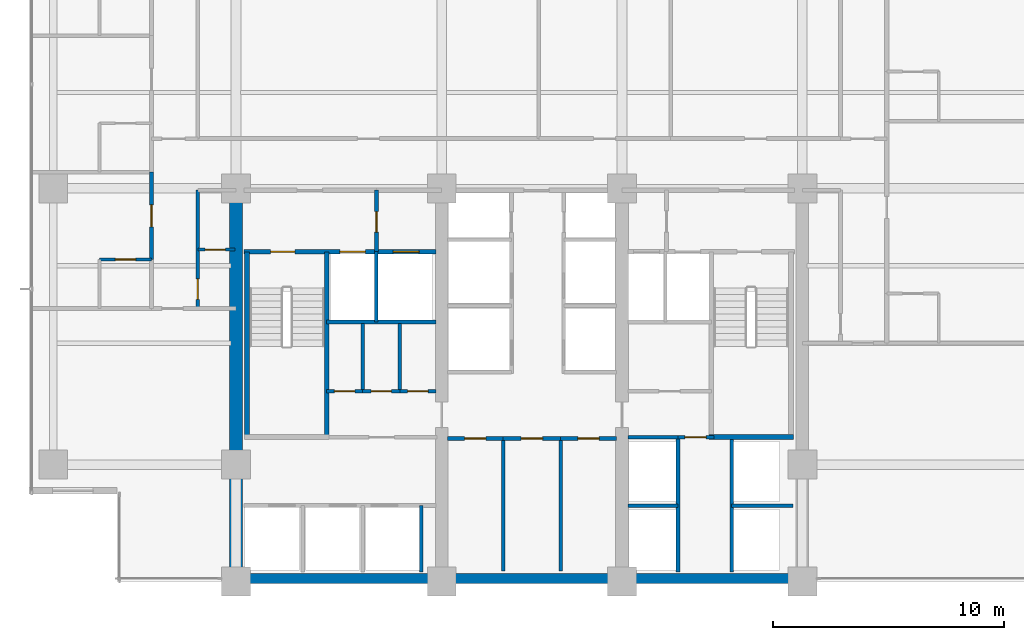
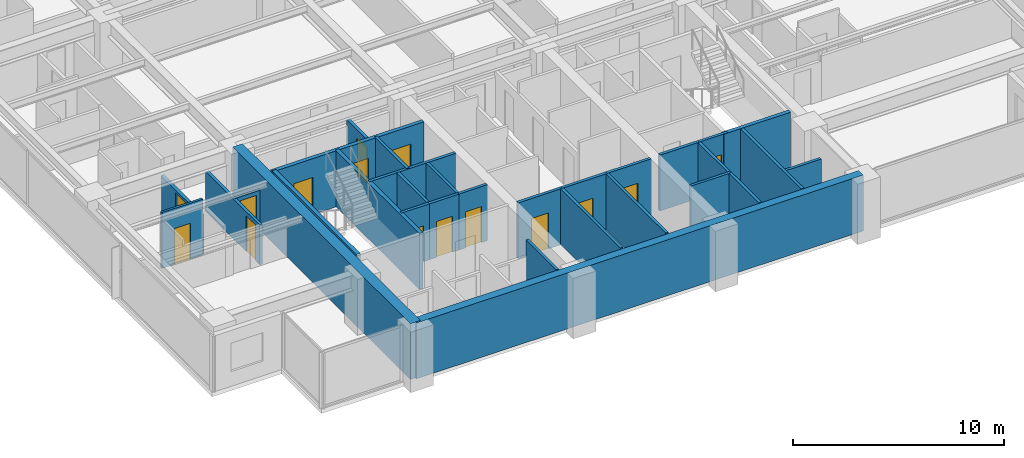
# One storey, part 8 of 17: 30 walls, 15 doors, 15 openings.
"""IFC4 building model written with IfcOpenShell, lengths in metres."""

from ifc_helpers import new_model, si_unit, direction, frame, frame_2d, origin, place, context, subcontext, project, spatial, rectangle, extrude, material, layer, layer_set, type_object, element, fill, save


model = new_model("IFC4")

# Units and contexts
model_context = context("Model", 3, precision=1e-05, world=origin(), true_north=direction((0.0, 1.0)))
body_context = subcontext(model_context, "Body", "Model", "MODEL_VIEW")
ifc_project = project(units=[si_unit("LENGTHUNIT", "METRE"), si_unit("AREAUNIT", "SQUARE_METRE"), si_unit("VOLUMEUNIT", "CUBIC_METRE"), si_unit("PLANEANGLEUNIT", "RADIAN"), si_unit("MASSUNIT", "GRAM", prefix="KILO")], contexts=[model_context])

# Site, building, storey
site_placement = place(None, origin())
site = spatial("IfcSite", under=ifc_project, at=site_placement, CompositionType="ELEMENT")
building_placement = place(site_placement, origin())
building = spatial("IfcBuilding", under=site, at=building_placement, Name="Qalmaran Belvedere Hotel", CompositionType="ELEMENT")
storey_placement = place(building_placement, frame((0.0, 0.0, 98.699951171875)))
storey = spatial("IfcBuildingStorey", under=building, at=storey_placement, Name="L24", CompositionType="ELEMENT", Elevation=98.699951171875)

# Walls
ifc_material_1 = material(Name="Concrete C60/75", Category="concrete")
ifc_layer_1 = layer(ifc_material_1, 0.550048828125, Name="Concrete C60/75")
ifc_layer_set_1 = layer_set([ifc_layer_1], Name="Concrete C60/75")
wall_type_1 = type_object("IfcWallType", Name="WL-CORE-550-C60", PredefinedType="SHEAR", material=ifc_layer_set_1)
wall_1_placement = place(storey_placement, frame((20.300048828125, 3.5, 0.0), z_axis=(0.0, 0.0, 1.0), x_axis=(0.0, 1.0, 0.0)))
element("IfcWall", 1, at=wall_1_placement, inside=storey, type_object=wall_type_1, Name="L24 West Core Shear Wall", PredefinedType="SHEAR", context=body_context, shape_type="SweptSolid", body=[
    extrude(rectangle(XDim=16.89990234375, YDim=0.550048828125, at=frame_2d((8.449951171875, 0.0))), origin(), (0.0, 0.0, 1.0), 3.239990234375),
])
ifc_material_2 = material(Name="Concrete C50/60", Category="concrete")
ifc_layer_2 = layer(ifc_material_2, 0.43994140625, Name="Concrete C50/60")
ifc_layer_set_2 = layer_set([ifc_layer_2], Name="Concrete C50/60")
wall_type_2 = type_object("IfcWallType", Name="WL-CORES-440-EXT", PredefinedType="SHEAR", material=ifc_layer_set_2)
wall_2_placement = place(storey_placement, frame((20.300048828125, 3.6298828125, 0.0), z_axis=(0.0, 0.0, 1.0), x_axis=(1.0, 0.0, 0.0)))
element("IfcWall", 2, at=wall_2_placement, inside=storey, type_object=wall_type_2, Name="L24 South Core Shear Wall", PredefinedType="SHEAR", context=body_context, shape_type="SweptSolid", body=[
    extrude(rectangle(XDim=24.5, YDim=0.43994140625, at=frame_2d((12.25, 0.0))), origin(), (0.0, 0.0, 1.0), 3.239990234375),
])

# Wall, opening, door
ifc_material_3 = material(Name="Moisture-Resistant Gypsum")
ifc_layer_3 = layer(ifc_material_3, 0.1201171875, Name="Moisture-Resistant Gypsum")
ifc_layer_set_3 = layer_set([ifc_layer_3], Name="Moisture-Resistant Gypsum")
wall_type_3 = type_object("IfcWallType", Name="WL-INT-120-BATH", PredefinedType="PARTITIONING", material=ifc_layer_set_3)
wall_3_placement = place(storey_placement, frame((14.39990234375, 17.419921875, 0.0), z_axis=(0.0, 0.0, 1.0), x_axis=(1.0, 0.0, 0.0)))
wall_3 = element("IfcWall", 3, at=wall_3_placement, inside=storey, type_object=wall_type_3, Name="L24 Partition WL-L24-WBN00", PredefinedType="PARTITIONING", context=body_context, shape_type="SweptSolid", body=[
    extrude(rectangle(XDim=2.25, YDim=0.1201171875, at=frame_2d((1.125, 0.0))), origin(), (0.0, 0.0, 1.0), 3.239990234375),
])
opening_1_placement = place(wall_3_placement, frame((1.56494140625, 0.0, 0.0), z_axis=(0.0, 0.0, 1.0), x_axis=(-1.0, 0.0, 0.0)))
opening_1 = element("IfcOpeningElement", 4, at=opening_1_placement, cuts=wall_3, Name="Opening D-BATH", PredefinedType="OPENING", context=body_context, shape_type="SweptSolid", body=[
    extrude(rectangle(XDim=0.8798828125, YDim=2.080078125, at=frame_2d((0.43994140625, 1.0400390625))), frame((0.0, 0.070068359375, 0.0), z_axis=(0.0, -1.0, 0.0), x_axis=(1.0, 0.0, 0.0)), (0.0, 0.0, 1.0), 0.14013671875),
])
ifc_material_4 = material(Name="Engineered Oak Veneer")
door_type_1 = type_object("IfcDoorType", Name="DR-INT-BATH-880X2080", OperationType="NOTDEFINED", PredefinedType="DOOR", material=ifc_material_4)
door_1_placement = place(opening_1_placement, origin())
door_1 = element("IfcDoor", 5, at=door_1_placement, inside=storey, type_object=door_type_1, Name="L24 W Ensuite Door 01", OperationType="SINGLE_SWING_RIGHT", OverallHeight=2.080078125, OverallWidth=0.8798828125, PredefinedType="DOOR", context=body_context, shape_type="SweptSolid", body=[
    extrude(rectangle(XDim=0.8798828125, YDim=2.080078125, at=frame_2d((0.43994140625, 1.0400390625))), frame((0.0, 0.02490234375, 0.0), z_axis=(0.0, -1.0, 0.0), x_axis=(1.0, 0.0, 0.0)), (0.0, 0.0, 1.0), 0.050048828125),
])
fill(opening_1, door_1)

ifc_material_5 = material(Name="Gypsum Stud Partition")
ifc_layer_4 = layer(ifc_material_5, 0.139892578125, Name="Gypsum Stud Partition")
ifc_layer_set_4 = layer_set([ifc_layer_4], Name="Gypsum Stud Partition")
wall_type_4 = type_object("IfcWallType", Name="WL-INT-140-NR", PredefinedType="PARTITIONING", material=ifc_layer_set_4)
wall_4_placement = place(storey_placement, frame((18.64990234375, 17.85009765625, 0.0), z_axis=(0.0, 0.0, 1.0), x_axis=(1.0, 0.0, 0.0)))
wall_4 = element("IfcWall", 6, at=wall_4_placement, inside=storey, type_object=wall_type_4, Name="L24 Partition WL-L24-WCLSUB", PredefinedType="PARTITIONING", context=body_context, shape_type="SweptSolid", body=[
    extrude(rectangle(XDim=1.60009765625, YDim=0.139892578125, at=frame_2d((0.800048828125, 0.0))), origin(), (0.0, 0.0, 1.0), 2.31298828125),
])
opening_2_placement = place(wall_4_placement, frame((1.193115234375, 0.0, 0.0), z_axis=(0.0, 0.0, 1.0), x_axis=(-1.0, 0.0, 0.0)))
opening_2 = element("IfcOpeningElement", 7, at=opening_2_placement, cuts=wall_4, Name="Opening D-BATH", PredefinedType="OPENING", context=body_context, shape_type="SweptSolid", body=[
    extrude(rectangle(XDim=0.8798828125, YDim=2.080078125, at=frame_2d((0.43994140625, 1.0400390625))), frame((0.0, 0.080078125, 0.0), z_axis=(0.0, -1.0, 0.0), x_axis=(1.0, 0.0, 0.0)), (0.0, 0.0, 1.0), 0.159912109375),
])
door_2_placement = place(opening_2_placement, origin())
door_2 = element("IfcDoor", 8, at=door_2_placement, inside=storey, type_object=door_type_1, Name="L24 Closet Alcove Door", OperationType="SINGLE_SWING_LEFT", OverallHeight=2.080078125, OverallWidth=0.8798828125, PredefinedType="DOOR", context=body_context, shape_type="SweptSolid", body=[
    extrude(rectangle(XDim=0.8798828125, YDim=2.080078125, at=frame_2d((0.43994140625, 1.0400390625))), frame((0.0, 0.02490234375, 0.0), z_axis=(0.0, -1.0, 0.0), x_axis=(1.0, 0.0, 0.0)), (0.0, 0.0, 1.0), 0.050048828125),
])
fill(opening_2, door_2)

# Walls
ifc_layer_5 = layer(ifc_material_5, 0.14990234375, Name="Gypsum Stud Partition")
ifc_layer_set_5 = layer_set([ifc_layer_5], Name="Gypsum Stud Partition")
wall_type_5 = type_object("IfcWallType", Name="WL-INT-150-EI120", PredefinedType="PARTITIONING", material=ifc_layer_set_5)
wall_5_placement = place(storey_placement, frame((26.360107421875, 14.719970703125, 0.0), z_axis=(0.0, 0.0, 1.0), x_axis=(0.0, 1.0, 0.0)))
element("IfcWall", 9, at=wall_5_placement, inside=storey, type_object=wall_type_5, Name="L24 Partition WL-FF1M-L24", PredefinedType="PARTITIONING", context=body_context, shape_type="SweptSolid", body=[
    extrude(rectangle(XDim=3.0400390625, YDim=0.14990234375, at=frame_2d((1.52001953125, 0.0))), origin(), (0.0, 0.0, 1.0), 3.239990234375),
])
wall_6_placement = place(storey_placement, frame((28.320068359375, 3.89990234375, 0.0), z_axis=(0.0, 0.0, 1.0), x_axis=(0.0, 1.0, 0.0)))
element("IfcWall", 10, at=wall_6_placement, inside=storey, type_object=wall_type_5, Name="L24 Partition WL-POM3-L24", PredefinedType="PARTITIONING", context=body_context, shape_type="SweptSolid", body=[
    extrude(rectangle(XDim=2.880126953125, YDim=0.14990234375, at=frame_2d((1.43994140625, 0.0))), origin(), (0.0, 0.0, 1.0), 3.239990234375),
])
wall_7_placement = place(storey_placement, frame((37.25, 6.780029296875, 0.0), z_axis=(0.0, 0.0, 1.0), x_axis=(1.0, 0.0, 0.0)))
element("IfcWall", 11, at=wall_7_placement, inside=storey, type_object=wall_type_5, Name="L24 Partition WL-PHMW-L24", PredefinedType="PARTITIONING", context=body_context, shape_type="SweptSolid", body=[
    extrude(rectangle(XDim=2.169921875, YDim=0.14990234375, at=frame_2d((1.0849609375, 0.0))), origin(), (0.0, 0.0, 1.0), 3.239990234375),
])
wall_8_placement = place(storey_placement, frame((41.739990234375, 6.780029296875, 0.0), z_axis=(0.0, 0.0, 1.0), x_axis=(1.0, 0.0, 0.0)))
element("IfcWall", 12, at=wall_8_placement, inside=storey, type_object=wall_type_5, Name="L24 Partition WL-PHME-L24", PredefinedType="PARTITIONING", context=body_context, shape_type="SweptSolid", body=[
    extrude(rectangle(XDim=2.659912109375, YDim=0.14990234375, at=frame_2d((1.330078125, 0.0))), origin(), (0.0, 0.0, 1.0), 2.31298828125),
])
ifc_layer_6 = layer(ifc_material_5, 0.14990234375, Name="Gypsum Stud Partition")
ifc_layer_set_6 = layer_set([ifc_layer_6], Name="Gypsum Stud Partition")
wall_type_6 = type_object("IfcWallType", Name="WL-INT-150-EI60", PredefinedType="PARTITIONING", material=ifc_layer_set_6)
for number, where, z_axis, x_axis, name in (
    (13, (25.781005859375, 11.719970703125, 0.0), (0.0, 0.0, 1.0), (0.0, 1.0, 0.0), "L24 Partition WL-L24-KWV1"),
    (14, (27.38916015625, 11.719970703125, 0.0), (0.0, 0.0, 1.0), (0.0, 1.0, 0.0), "L24 Partition WL-L24-KWV2"),
):
    element("IfcWall", number, at=place(storey_placement, frame(where, z_axis=z_axis, x_axis=x_axis)), inside=storey, type_object=wall_type_6, Name=name, PredefinedType="PARTITIONING", context=body_context, shape_type="SweptSolid", body=[
        extrude(rectangle(XDim=2.929931640625, YDim=0.14990234375, at=frame_2d((1.46484375, 0.0))), origin(), (0.0, 0.0, 1.0), 3.239990234375),
    ])
for number, where, z_axis, x_axis, name in (
    (15, (31.85888671875, 3.949951171875, 0.0), (0.0, 0.0, 1.0), (0.0, 1.0, 0.0), "L24 Partition WL-L24-KPLV1"),
    (16, (34.341064453125, 3.949951171875, 0.0), (0.0, 0.0, 1.0), (0.0, 1.0, 0.0), "L24 Partition WL-L24-KPLV2"),
):
    element("IfcWall", number, at=place(storey_placement, frame(where, z_axis=z_axis, x_axis=x_axis)), inside=storey, type_object=wall_type_6, Name=name, PredefinedType="PARTITIONING", context=body_context, shape_type="SweptSolid", body=[
        extrude(rectangle(XDim=5.72998046875, YDim=0.14990234375, at=frame_2d((2.864990234375, 0.0))), origin(), (0.0, 0.0, 1.0), 3.239990234375),
    ])

# Wall, opening, door
ifc_layer_7 = layer(ifc_material_5, 0.159912109375, Name="Gypsum Stud Partition")
ifc_layer_set_7 = layer_set([ifc_layer_7], Name="Gypsum Stud Partition")
wall_type_7 = type_object("IfcWallType", Name="WL-INT-160-EI120", PredefinedType="PARTITIONING", material=ifc_layer_set_7)
wall_9_placement = place(storey_placement, frame((26.3798828125, 17.760009765625, 0.0), z_axis=(0.0, 0.0, 1.0), x_axis=(0.0, 1.0, 0.0)))
wall_9 = element("IfcWall", 17, at=wall_9_placement, inside=storey, type_object=wall_type_7, Name="L24 Partition WL-FFSV1-L24", PredefinedType="PARTITIONING", context=body_context, shape_type="SweptSolid", body=[
    extrude(rectangle(XDim=2.659912109375, YDim=0.159912109375, at=frame_2d((1.330078125, 0.0))), origin(), (0.0, 0.0, 1.0), 2.614013671875),
])
opening_3_placement = place(wall_9_placement, frame((0.85009765625, 0.0, 0.0)))
opening_3 = element("IfcOpeningElement", 18, at=opening_3_placement, cuts=wall_9, Name="Opening FD60B", PredefinedType="OPENING", context=body_context, shape_type="SweptSolid", body=[
    extrude(rectangle(XDim=0.8798828125, YDim=2.080078125, at=frame_2d((0.43994140625, 1.0400390625))), frame((0.0, 0.08984375, 0.0), z_axis=(0.0, -1.0, 0.0), x_axis=(1.0, 0.0, 0.0)), (0.0, 0.0, 1.0), 0.179931640625),
])
ifc_material_6 = material(Name="Steel S355JR", Category="steel")
door_type_2 = type_object("IfcDoorType", Name="DR-FD60B-880X2080", OperationType="NOTDEFINED", PredefinedType="DOOR", material=ifc_material_6)
door_3_placement = place(opening_3_placement, origin())
door_3 = element("IfcDoor", 19, at=door_3_placement, inside=storey, type_object=door_type_2, Name="L24 Service Lobby West Door", OperationType="SINGLE_SWING_LEFT", OverallHeight=2.080078125, OverallWidth=0.8798828125, PredefinedType="DOOR", context=body_context, shape_type="SweptSolid", body=[
    extrude(rectangle(XDim=0.8798828125, YDim=2.080078125, at=frame_2d((0.43994140625, 1.0400390625))), frame((0.0, 0.02490234375, 0.0), z_axis=(0.0, -1.0, 0.0), x_axis=(1.0, 0.0, 0.0)), (0.0, 0.0, 1.0), 0.050048828125),
])
fill(opening_3, door_3)

# Walls
wall_10_placement = place(storey_placement, frame((24.219970703125, 14.719970703125, 0.0), z_axis=(0.0, 0.0, 1.0), x_axis=(1.0, 0.0, 0.0)))
element("IfcWall", 20, at=wall_10_placement, inside=storey, type_object=wall_type_7, Name="L24 Partition WL-FF1S-L24", PredefinedType="PARTITIONING", context=body_context, shape_type="SweptSolid", body=[
    extrude(rectangle(XDim=4.72998046875, YDim=0.159912109375, at=frame_2d((2.364990234375, 0.0))), origin(), (0.0, 0.0, 1.0), 3.239990234375),
])
for number, where, z_axis, x_axis, name in (
    (21, (39.419921875, 3.89990234375, 0.0), (0.0, 0.0, 1.0), (0.0, 1.0, 0.0), "L24 Partition WL-PHW-L24"),
    (22, (41.739990234375, 3.89990234375, 0.0), (0.0, 0.0, 1.0), (0.0, 1.0, 0.0), "L24 Partition WL-PHE-L24"),
):
    element("IfcWall", number, at=place(storey_placement, frame(where, z_axis=z_axis, x_axis=x_axis)), inside=storey, type_object=wall_type_7, Name=name, PredefinedType="PARTITIONING", context=body_context, shape_type="SweptSolid", body=[
        extrude(rectangle(XDim=5.840087890625, YDim=0.159912109375, at=frame_2d((2.919921875, 0.0))), origin(), (0.0, 0.0, 1.0), 3.239990234375),
    ])
wall_11_placement = place(storey_placement, frame((37.25, 9.739990234375, 0.0), z_axis=(0.0, 0.0, 1.0), x_axis=(1.0, 0.0, 0.0)))
element("IfcWall", 23, at=wall_11_placement, inside=storey, type_object=wall_type_7, Name="L24 Partition WL-PHNW-L24", PredefinedType="PARTITIONING", context=body_context, shape_type="SweptSolid", body=[
    extrude(rectangle(XDim=2.169921875, YDim=0.159912109375, at=frame_2d((1.0849609375, 0.0))), origin(), (0.0, 0.0, 1.0), 3.239990234375),
])

# Wall, opening, door
wall_12_placement = place(storey_placement, frame((39.419921875, 9.739990234375, 0.0), z_axis=(0.0, 0.0, 1.0), x_axis=(1.0, 0.0, 0.0)))
wall_12 = element("IfcWall", 24, at=wall_12_placement, inside=storey, type_object=wall_type_7, Name="L24 Partition WL-PHNL-L24", PredefinedType="PARTITIONING", context=body_context, shape_type="SweptSolid", body=[
    extrude(rectangle(XDim=1.56005859375, YDim=0.159912109375, at=frame_2d((0.780029296875, 0.0))), origin(), (0.0, 0.0, 1.0), 3.239990234375),
])
opening_4_placement = place(wall_12_placement, frame((0.300048828125, 0.0, 0.0)))
opening_4 = element("IfcOpeningElement", 25, at=opening_4_placement, cuts=wall_12, Name="Opening FD60S1", PredefinedType="OPENING", context=body_context, shape_type="SweptSolid", body=[
    extrude(rectangle(XDim=0.919921875, YDim=2.080078125, at=frame_2d((0.4599609375, 1.0400390625))), frame((0.0, 0.08984375, 0.0), z_axis=(0.0, -1.0, 0.0), x_axis=(1.0, 0.0, 0.0)), (0.0, 0.0, 1.0), 0.179931640625),
])
door_type_3 = type_object("IfcDoorType", Name="DR-FD60S-920X2080", OperationType="NOTDEFINED", PredefinedType="DOOR", material=ifc_material_4)
door_4_placement = place(opening_4_placement, origin())
door_4 = element("IfcDoor", 26, at=door_4_placement, inside=storey, type_object=door_type_3, Name="L24 High-Rise Lift Lobby Passage Door", OperationType="SINGLE_SWING_LEFT", OverallHeight=2.080078125, OverallWidth=0.919921875, PredefinedType="DOOR", context=body_context, shape_type="SweptSolid", body=[
    extrude(rectangle(XDim=0.919921875, YDim=2.080078125, at=frame_2d((0.4599609375, 1.0400390625))), frame((0.0, 0.02490234375, 0.0), z_axis=(0.0, -1.0, 0.0), x_axis=(1.0, 0.0, 0.0)), (0.0, 0.0, 1.0), 0.050048828125),
])
fill(opening_4, door_4)

ifc_layer_8 = layer(ifc_material_5, 0.159912109375, Name="Gypsum Stud Partition")
ifc_layer_set_8 = layer_set([ifc_layer_8], Name="Gypsum Stud Partition")
wall_type_8 = type_object("IfcWallType", Name="WL-INT-160-EI60", PredefinedType="PARTITIONING", material=ifc_layer_set_8)
wall_13_placement = place(storey_placement, frame((24.219970703125, 11.719970703125, 0.0), z_axis=(0.0, 0.0, 1.0), x_axis=(1.0, 0.0, 0.0)))
wall_13 = element("IfcWall", 27, at=wall_13_placement, inside=storey, type_object=wall_type_8, Name="L24 Partition WL-L24-KWE1", PredefinedType="PARTITIONING", context=body_context, shape_type="SweptSolid", body=[
    extrude(rectangle(XDim=1.56103515625, YDim=0.159912109375, at=frame_2d((0.780517578125, 0.0))), origin(), (0.0, 0.0, 1.0), 3.239990234375),
])
opening_5_placement = place(wall_13_placement, frame((0.340576171875, 0.0, 0.0)))
opening_5 = element("IfcOpeningElement", 28, at=opening_5_placement, cuts=wall_13, Name="Opening FD60B", PredefinedType="OPENING", context=body_context, shape_type="SweptSolid", body=[
    extrude(rectangle(XDim=0.8798828125, YDim=2.080078125, at=frame_2d((0.43994140625, 1.0400390625))), frame((0.0, 0.08984375, 0.0), z_axis=(0.0, -1.0, 0.0), x_axis=(1.0, 0.0, 0.0)), (0.0, 0.0, 1.0), 0.179931640625),
])
door_5_placement = place(opening_5_placement, origin())
door_5 = element("IfcDoor", 29, at=door_5_placement, inside=storey, type_object=door_type_2, Name="L24 Staff Core WC Door", OperationType="SINGLE_SWING_RIGHT", OverallHeight=2.080078125, OverallWidth=0.8798828125, PredefinedType="DOOR", context=body_context, shape_type="SweptSolid", body=[
    extrude(rectangle(XDim=0.8798828125, YDim=2.080078125, at=frame_2d((0.43994140625, 1.0400390625))), frame((0.0, 0.02490234375, 0.0), z_axis=(0.0, -1.0, 0.0), x_axis=(1.0, 0.0, 0.0)), (0.0, 0.0, 1.0), 0.050048828125),
])
fill(opening_5, door_5)

wall_14_placement = place(storey_placement, frame((25.781005859375, 11.719970703125, 0.0), z_axis=(0.0, 0.0, 1.0), x_axis=(1.0, 0.0, 0.0)))
wall_14 = element("IfcWall", 30, at=wall_14_placement, inside=storey, type_object=wall_type_8, Name="L24 Partition WL-L24-KWE2", PredefinedType="PARTITIONING", context=body_context, shape_type="SweptSolid", body=[
    extrude(rectangle(XDim=1.608154296875, YDim=0.159912109375, at=frame_2d((0.80419921875, 0.0))), origin(), (0.0, 0.0, 1.0), 3.239990234375),
])
opening_6_placement = place(wall_14_placement, frame((0.364013671875, 0.0, 0.0)))
opening_6 = element("IfcOpeningElement", 31, at=opening_6_placement, cuts=wall_14, Name="Opening FD60B", PredefinedType="OPENING", context=body_context, shape_type="SweptSolid", body=[
    extrude(rectangle(XDim=0.8798828125, YDim=2.080078125, at=frame_2d((0.43994140625, 1.0400390625))), frame((0.0, 0.08984375, 0.0), z_axis=(0.0, -1.0, 0.0), x_axis=(1.0, 0.0, 0.0)), (0.0, 0.0, 1.0), 0.179931640625),
])
door_6_placement = place(opening_6_placement, origin())
door_6 = element("IfcDoor", 32, at=door_6_placement, inside=storey, type_object=door_type_2, Name="L24 Electrical Distribution Room Door", OperationType="SINGLE_SWING_LEFT", OverallHeight=2.080078125, OverallWidth=0.8798828125, PredefinedType="DOOR", context=body_context, shape_type="SweptSolid", body=[
    extrude(rectangle(XDim=0.8798828125, YDim=2.080078125, at=frame_2d((0.43994140625, 1.0400390625))), frame((0.0, 0.02490234375, 0.0), z_axis=(0.0, -1.0, 0.0), x_axis=(1.0, 0.0, 0.0)), (0.0, 0.0, 1.0), 0.050048828125),
])
fill(opening_6, door_6)

wall_15_placement = place(storey_placement, frame((27.38916015625, 11.719970703125, 0.0), z_axis=(0.0, 0.0, 1.0), x_axis=(1.0, 0.0, 0.0)))
wall_15 = element("IfcWall", 33, at=wall_15_placement, inside=storey, type_object=wall_type_8, Name="L24 Partition WL-L24-KWE3", PredefinedType="PARTITIONING", context=body_context, shape_type="SweptSolid", body=[
    extrude(rectangle(XDim=1.560791015625, YDim=0.159912109375, at=frame_2d((0.7802734375, 0.0))), origin(), (0.0, 0.0, 1.0), 3.239990234375),
])
opening_7_placement = place(wall_15_placement, frame((0.340576171875, 0.0, 0.0)))
opening_7 = element("IfcOpeningElement", 34, at=opening_7_placement, cuts=wall_15, Name="Opening FD60B", PredefinedType="OPENING", context=body_context, shape_type="SweptSolid", body=[
    extrude(rectangle(XDim=0.8798828125, YDim=2.080078125, at=frame_2d((0.43994140625, 1.0400390625))), frame((0.0, 0.08984375, 0.0), z_axis=(0.0, -1.0, 0.0), x_axis=(1.0, 0.0, 0.0)), (0.0, 0.0, 1.0), 0.179931640625),
])
door_7_placement = place(opening_7_placement, origin())
door_7 = element("IfcDoor", 35, at=door_7_placement, inside=storey, type_object=door_type_2, Name="L24 Telecom and IT Room Door", OperationType="SINGLE_SWING_RIGHT", OverallHeight=2.080078125, OverallWidth=0.8798828125, PredefinedType="DOOR", context=body_context, shape_type="SweptSolid", body=[
    extrude(rectangle(XDim=0.8798828125, YDim=2.080078125, at=frame_2d((0.43994140625, 1.0400390625))), frame((0.0, 0.02490234375, 0.0), z_axis=(0.0, -1.0, 0.0), x_axis=(1.0, 0.0, 0.0)), (0.0, 0.0, 1.0), 0.050048828125),
])
fill(opening_7, door_7)

wall_16_placement = place(storey_placement, frame((29.449951171875, 9.679931640625, 0.0), z_axis=(0.0, 0.0, 1.0), x_axis=(1.0, 0.0, 0.0)))
wall_16 = element("IfcWall", 36, at=wall_16_placement, inside=storey, type_object=wall_type_8, Name="L24 Partition WL-L24-KPLE1", PredefinedType="PARTITIONING", context=body_context, shape_type="SweptSolid", body=[
    extrude(rectangle(XDim=2.408935546875, YDim=0.159912109375, at=frame_2d((1.20458984375, 0.0))), origin(), (0.0, 0.0, 1.0), 3.239990234375),
])
opening_8_placement = place(wall_16_placement, frame((1.664306640625, 0.0, 0.0), z_axis=(0.0, 0.0, 1.0), x_axis=(-1.0, 0.0, 0.0)))
opening_8 = element("IfcOpeningElement", 37, at=opening_8_placement, cuts=wall_16, Name="Opening FD60S1", PredefinedType="OPENING", context=body_context, shape_type="SweptSolid", body=[
    extrude(rectangle(XDim=0.919921875, YDim=2.080078125, at=frame_2d((0.4599609375, 1.0400390625))), frame((0.0, 0.08984375, 0.0), z_axis=(0.0, -1.0, 0.0), x_axis=(1.0, 0.0, 0.0)), (0.0, 0.0, 1.0), 0.179931640625),
])
door_8_placement = place(opening_8_placement, origin())
door_8 = element("IfcDoor", 38, at=door_8_placement, inside=storey, type_object=door_type_3, Name="L24 Housekeeping and Linen Room Door", OperationType="SINGLE_SWING_RIGHT", OverallHeight=2.080078125, OverallWidth=0.919921875, PredefinedType="DOOR", context=body_context, shape_type="SweptSolid", body=[
    extrude(rectangle(XDim=0.919921875, YDim=2.080078125, at=frame_2d((0.4599609375, 1.0400390625))), frame((0.0, 0.02490234375, 0.0), z_axis=(0.0, -1.0, 0.0), x_axis=(1.0, 0.0, 0.0)), (0.0, 0.0, 1.0), 0.050048828125),
])
fill(opening_8, door_8)

wall_17_placement = place(storey_placement, frame((31.85888671875, 9.679931640625, 0.0), z_axis=(0.0, 0.0, 1.0), x_axis=(1.0, 0.0, 0.0)))
wall_17 = element("IfcWall", 39, at=wall_17_placement, inside=storey, type_object=wall_type_8, Name="L24 Partition WL-L24-KPLE2", PredefinedType="PARTITIONING", context=body_context, shape_type="SweptSolid", body=[
    extrude(rectangle(XDim=2.482177734375, YDim=0.159912109375, at=frame_2d((1.2412109375, 0.0))), origin(), (0.0, 0.0, 1.0), 3.239990234375),
])
opening_9_placement = place(wall_17_placement, frame((1.700927734375, 0.0, 0.0), z_axis=(0.0, 0.0, 1.0), x_axis=(-1.0, 0.0, 0.0)))
opening_9 = element("IfcOpeningElement", 40, at=opening_9_placement, cuts=wall_17, Name="Opening FD60S1", PredefinedType="OPENING", context=body_context, shape_type="SweptSolid", body=[
    extrude(rectangle(XDim=0.919921875, YDim=2.080078125, at=frame_2d((0.4599609375, 1.0400390625))), frame((0.0, 0.08984375, 0.0), z_axis=(0.0, -1.0, 0.0), x_axis=(1.0, 0.0, 0.0)), (0.0, 0.0, 1.0), 0.179931640625),
])
door_9_placement = place(opening_9_placement, origin())
door_9 = element("IfcDoor", 41, at=door_9_placement, inside=storey, type_object=door_type_3, Name="L24 Hotel Butler Service Pantry Door", OperationType="SINGLE_SWING_LEFT", OverallHeight=2.080078125, OverallWidth=0.919921875, PredefinedType="DOOR", context=body_context, shape_type="SweptSolid", body=[
    extrude(rectangle(XDim=0.919921875, YDim=2.080078125, at=frame_2d((0.4599609375, 1.0400390625))), frame((0.0, 0.02490234375, 0.0), z_axis=(0.0, -1.0, 0.0), x_axis=(1.0, 0.0, 0.0)), (0.0, 0.0, 1.0), 0.050048828125),
])
fill(opening_9, door_9)

wall_18_placement = place(storey_placement, frame((34.341064453125, 9.679931640625, 0.0), z_axis=(0.0, 0.0, 1.0), x_axis=(1.0, 0.0, 0.0)))
wall_18 = element("IfcWall", 42, at=wall_18_placement, inside=storey, type_object=wall_type_8, Name="L24 Partition WL-L24-KPLE3", PredefinedType="PARTITIONING", context=body_context, shape_type="SweptSolid", body=[
    extrude(rectangle(XDim=2.408935546875, YDim=0.159912109375, at=frame_2d((1.20458984375, 0.0))), origin(), (0.0, 0.0, 1.0), 3.239990234375),
])
opening_10_placement = place(wall_18_placement, frame((1.664306640625, 0.0, 0.0), z_axis=(0.0, 0.0, 1.0), x_axis=(-1.0, 0.0, 0.0)))
opening_10 = element("IfcOpeningElement", 43, at=opening_10_placement, cuts=wall_18, Name="Opening FD60S1", PredefinedType="OPENING", context=body_context, shape_type="SweptSolid", body=[
    extrude(rectangle(XDim=0.919921875, YDim=2.080078125, at=frame_2d((0.4599609375, 1.0400390625))), frame((0.0, 0.08984375, 0.0), z_axis=(0.0, -1.0, 0.0), x_axis=(1.0, 0.0, 0.0)), (0.0, 0.0, 1.0), 0.179931640625),
])
door_10_placement = place(opening_10_placement, origin())
door_10 = element("IfcDoor", 44, at=door_10_placement, inside=storey, type_object=door_type_3, Name="L24 Guest Valet Supply Store Door", OperationType="SINGLE_SWING_RIGHT", OverallHeight=2.080078125, OverallWidth=0.919921875, PredefinedType="DOOR", context=body_context, shape_type="SweptSolid", body=[
    extrude(rectangle(XDim=0.919921875, YDim=2.080078125, at=frame_2d((0.4599609375, 1.0400390625))), frame((0.0, 0.02490234375, 0.0), z_axis=(0.0, -1.0, 0.0), x_axis=(1.0, 0.0, 0.0)), (0.0, 0.0, 1.0), 0.050048828125),
])
fill(opening_10, door_10)

wall_19_placement = place(storey_placement, frame((18.64990234375, 15.300048828125, 0.0), z_axis=(0.0, 0.0, 1.0), x_axis=(0.0, 1.0, 0.0)))
wall_19 = element("IfcWall", 45, at=wall_19_placement, inside=storey, type_object=wall_type_8, Name="L24 Partition WL-L24-WCL", PredefinedType="PARTITIONING", context=body_context, shape_type="SweptSolid", body=[
    extrude(rectangle(XDim=5.119873046875, YDim=0.159912109375, at=frame_2d((2.56005859375, 0.0))), origin(), (0.0, 0.0, 1.0), 2.31298828125),
])
opening_11_placement = place(wall_19_placement, frame((1.27978515625, 0.0, 0.0), z_axis=(0.0, 0.0, 1.0), x_axis=(-1.0, 0.0, 0.0)))
opening_11 = element("IfcOpeningElement", 46, at=opening_11_placement, cuts=wall_19, Name="Opening FD60B", PredefinedType="OPENING", context=body_context, shape_type="SweptSolid", body=[
    extrude(rectangle(XDim=0.8798828125, YDim=2.080078125, at=frame_2d((0.43994140625, 1.0400390625))), frame((0.0, 0.08984375, 0.0), z_axis=(0.0, -1.0, 0.0), x_axis=(1.0, 0.0, 0.0)), (0.0, 0.0, 1.0), 0.179931640625),
])
door_11_placement = place(opening_11_placement, origin())
door_11 = element("IfcDoor", 47, at=door_11_placement, inside=storey, type_object=door_type_2, Name="L24 West Closet Door", OperationType="SINGLE_SWING_LEFT", OverallHeight=2.080078125, OverallWidth=0.8798828125, PredefinedType="DOOR", context=body_context, shape_type="SweptSolid", body=[
    extrude(rectangle(XDim=0.8798828125, YDim=2.080078125, at=frame_2d((0.43994140625, 1.0400390625))), frame((0.0, 0.02490234375, 0.0), z_axis=(0.0, -1.0, 0.0), x_axis=(1.0, 0.0, 0.0)), (0.0, 0.0, 1.0), 0.050048828125),
])
fill(opening_11, door_11)

ifc_layer_9 = layer(ifc_material_5, 0.179931640625, Name="Gypsum Stud Partition")
ifc_layer_set_9 = layer_set([ifc_layer_9], Name="Gypsum Stud Partition")
wall_type_9 = type_object("IfcWallType", Name="WL-INT-180-EI60", PredefinedType="PARTITIONING", material=ifc_layer_set_9)
wall_20_placement = place(storey_placement, frame((16.64990234375, 17.419921875, 0.0), z_axis=(0.0, 0.0, 1.0), x_axis=(0.0, 1.0, 0.0)))
wall_20 = element("IfcWall", 48, at=wall_20_placement, inside=storey, type_object=wall_type_9, Name="L24 Partition WL-L24-WEC00", PredefinedType="PARTITIONING", context=body_context, shape_type="SweptSolid", body=[
    extrude(rectangle(XDim=3.780029296875, YDim=0.179931640625, at=frame_2d((1.89013671875, 0.0))), origin(), (0.0, 0.0, 1.0), 2.31298828125),
])
opening_12_placement = place(wall_20_placement, frame((1.4150390625, 0.0, 0.0)))
opening_12 = element("IfcOpeningElement", 49, at=opening_12_placement, cuts=wall_20, Name="Opening FD60", PredefinedType="OPENING", context=body_context, shape_type="SweptSolid", body=[
    extrude(rectangle(XDim=0.949951171875, YDim=2.14990234375, at=frame_2d((0.47509765625, 1.074951171875))), frame((0.0, 0.10009765625, 0.0), z_axis=(0.0, -1.0, 0.0), x_axis=(1.0, 0.0, 0.0)), (0.0, 0.0, 1.0), 0.199951171875),
])
door_type_4 = type_object("IfcDoorType", Name="DR-FD60-950X2150", OperationType="NOTDEFINED", PredefinedType="DOOR", material=ifc_material_4)
door_12_placement = place(opening_12_placement, origin())
door_12 = element("IfcDoor", 50, at=door_12_placement, inside=storey, type_object=door_type_4, Name="L24 W Wing Door 01", OperationType="SINGLE_SWING_LEFT", OverallHeight=2.14990234375, OverallWidth=0.949951171875, PredefinedType="DOOR", context=body_context, shape_type="SweptSolid", body=[
    extrude(rectangle(XDim=0.949951171875, YDim=2.14990234375, at=frame_2d((0.47509765625, 1.074951171875))), frame((0.0, 0.02490234375, 0.0), z_axis=(0.0, -1.0, 0.0), x_axis=(1.0, 0.0, 0.0)), (0.0, 0.0, 1.0), 0.050048828125),
])
fill(opening_12, door_12)

# Walls
ifc_layer_10 = layer(ifc_material_2, 0.2099609375, Name="Concrete C50/60")
ifc_layer_set_10 = layer_set([ifc_layer_10], Name="Concrete C50/60")
wall_type_10 = type_object("IfcWallType", Name="WL-STAIR-210-C50", PredefinedType="SHEAR", material=ifc_layer_set_10)
for number, where, z_axis, x_axis, name in (
    (51, (20.77490234375, 9.7451171875, 0.0), (0.0, 0.0, 1.0), (0.0, 1.0, 0.0), "L24 Stair ST-1 West Bearing Wall"),
    (52, (24.22509765625, 9.7451171875, 0.0), (0.0, 0.0, 1.0), (0.0, 1.0, 0.0), "L24 Stair ST-1 East Bearing Wall"),
):
    element("IfcWall", number, at=place(storey_placement, frame(where, z_axis=z_axis, x_axis=x_axis)), inside=storey, type_object=wall_type_10, Name=name, PredefinedType="SHEAR", context=body_context, shape_type="SweptSolid", body=[
        extrude(rectangle(XDim=8.009765625, YDim=0.2099609375, at=frame_2d((4.0048828125, 0.0))), origin(), (0.0, 0.0, 1.0), 3.239990234375),
    ])

# Wall, openings, doors
wall_21_placement = place(storey_placement, frame((20.64990234375, 17.7548828125, 0.0), z_axis=(0.0, 0.0, 1.0), x_axis=(1.0, 0.0, 0.0)))
wall_21 = element("IfcWall", 53, at=wall_21_placement, inside=storey, type_object=wall_type_10, Name="L24 West Lobby and Stair ST-1 North Bearing Wall", PredefinedType="SHEAR", context=body_context, shape_type="SweptSolid", body=[
    extrude(rectangle(XDim=8.300048828125, YDim=0.2099609375, at=frame_2d((4.14990234375, 0.0))), origin(), (0.0, 0.0, 1.0), 3.239990234375),
])
opening_13_placement = place(wall_21_placement, frame((2.199951171875, 0.0, 0.0), z_axis=(0.0, 0.0, 1.0), x_axis=(-1.0, 0.0, 0.0)))
opening_13 = element("IfcOpeningElement", 54, at=opening_13_placement, cuts=wall_21, Name="Opening FD90S2", PredefinedType="OPENING", context=body_context, shape_type="SweptSolid", body=[
    extrude(rectangle(XDim=1.050048828125, YDim=2.14990234375, at=frame_2d((0.52490234375, 1.074951171875))), frame((0.0, 0.114990234375, 0.0), z_axis=(0.0, -1.0, 0.0), x_axis=(1.0, 0.0, 0.0)), (0.0, 0.0, 1.0), 0.22998046875),
])
opening_14_placement = place(wall_21_placement, frame((4.14990234375, 0.0, 0.0)))
opening_14 = element("IfcOpeningElement", 55, at=opening_14_placement, cuts=wall_21, Name="Opening LD-FF", PredefinedType="OPENING", context=body_context, shape_type="SweptSolid", body=[
    extrude(rectangle(XDim=1.10009765625, YDim=2.179931640625, at=frame_2d((0.550048828125, 1.08984375))), frame((0.0, 0.114990234375, 0.0), z_axis=(0.0, -1.0, 0.0), x_axis=(1.0, 0.0, 0.0)), (0.0, 0.0, 1.0), 0.22998046875),
])
opening_15_placement = place(wall_21_placement, frame((6.449951171875, 0.0, 0.0)))
opening_15 = element("IfcOpeningElement", 56, at=opening_15_placement, cuts=wall_21, Name="Opening LD-SV", PredefinedType="OPENING", context=body_context, shape_type="SweptSolid", body=[
    extrude(rectangle(XDim=1.1201171875, YDim=2.199951171875, at=frame_2d((0.56005859375, 1.10009765625))), frame((0.0, 0.114990234375, 0.0), z_axis=(0.0, -1.0, 0.0), x_axis=(1.0, 0.0, 0.0)), (0.0, 0.0, 1.0), 0.22998046875),
])
door_type_5 = type_object("IfcDoorType", Name="DR-FD90S-1050X2150", OperationType="NOTDEFINED", PredefinedType="DOOR", material=ifc_material_6)
door_13_placement = place(opening_13_placement, origin())
door_13 = element("IfcDoor", 57, at=door_13_placement, inside=storey, type_object=door_type_5, Name="L24 Stair ST-1 Door", OperationType="SINGLE_SWING_LEFT", OverallHeight=2.14990234375, OverallWidth=1.050048828125, PredefinedType="DOOR", context=body_context, shape_type="SweptSolid", body=[
    extrude(rectangle(XDim=1.050048828125, YDim=2.14990234375, at=frame_2d((0.52490234375, 1.074951171875))), frame((0.0, 0.02490234375, 0.0), z_axis=(0.0, -1.0, 0.0), x_axis=(1.0, 0.0, 0.0)), (0.0, 0.0, 1.0), 0.050048828125),
])
fill(opening_13, door_13)
ifc_material_7 = material(Name="Stainless Steel 1.4401", Category="steel")
door_type_6 = type_object("IfcDoorType", Name="DR-LIFT-FF-1100X2180", OperationType="DOUBLE_DOOR_SLIDING", PredefinedType="DOOR", material=ifc_material_7)
door_14_placement = place(opening_14_placement, origin())
door_14 = element("IfcDoor", 58, at=door_14_placement, inside=storey, type_object=door_type_6, Name="L24 FF1 Lift Landing Door", OperationType="DOUBLE_DOOR_SLIDING", OverallHeight=2.179931640625, OverallWidth=1.10009765625, PredefinedType="DOOR", context=body_context, shape_type="SweptSolid", body=[
    extrude(rectangle(XDim=1.10009765625, YDim=2.179931640625, at=frame_2d((0.550048828125, 1.08984375))), frame((0.0, 0.02490234375, 0.0), z_axis=(0.0, -1.0, 0.0), x_axis=(1.0, 0.0, 0.0)), (0.0, 0.0, 1.0), 0.050048828125),
])
fill(opening_14, door_14)
door_type_7 = type_object("IfcDoorType", Name="DR-LIFT-SV-1120X2200", OperationType="DOUBLE_DOOR_SLIDING", PredefinedType="DOOR", material=ifc_material_7)
door_15_placement = place(opening_15_placement, origin())
door_15 = element("IfcDoor", 59, at=door_15_placement, inside=storey, type_object=door_type_7, Name="L24 SV1 Lift Landing Door", OperationType="DOUBLE_DOOR_SLIDING", OverallHeight=2.199951171875, OverallWidth=1.1201171875, PredefinedType="DOOR", context=body_context, shape_type="SweptSolid", body=[
    extrude(rectangle(XDim=1.1201171875, YDim=2.199951171875, at=frame_2d((0.56005859375, 1.10009765625))), frame((0.0, 0.02490234375, 0.0), z_axis=(0.0, -1.0, 0.0), x_axis=(1.0, 0.0, 0.0)), (0.0, 0.0, 1.0), 0.050048828125),
])
fill(opening_15, door_15)

# Wall
wall_22_placement = place(storey_placement, frame((40.75, 9.7451171875, 0.0), z_axis=(0.0, 0.0, 1.0), x_axis=(1.0, 0.0, 0.0)))
element("IfcWall", 60, at=wall_22_placement, inside=storey, type_object=wall_type_10, Name="L24 Stair ST-2 South Bearing Wall", PredefinedType="SHEAR", context=body_context, shape_type="SweptSolid", body=[
    extrude(rectangle(XDim=3.659912109375, YDim=0.2099609375, at=frame_2d((1.830078125, 0.0))), origin(), (0.0, 0.0, 1.0), 3.239990234375),
])

save(model, "model.ifc")
